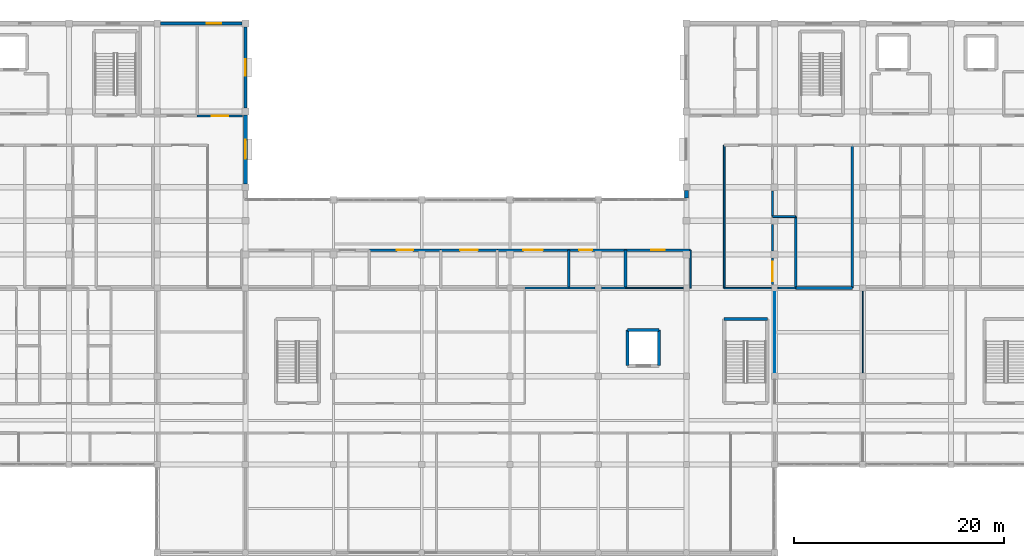
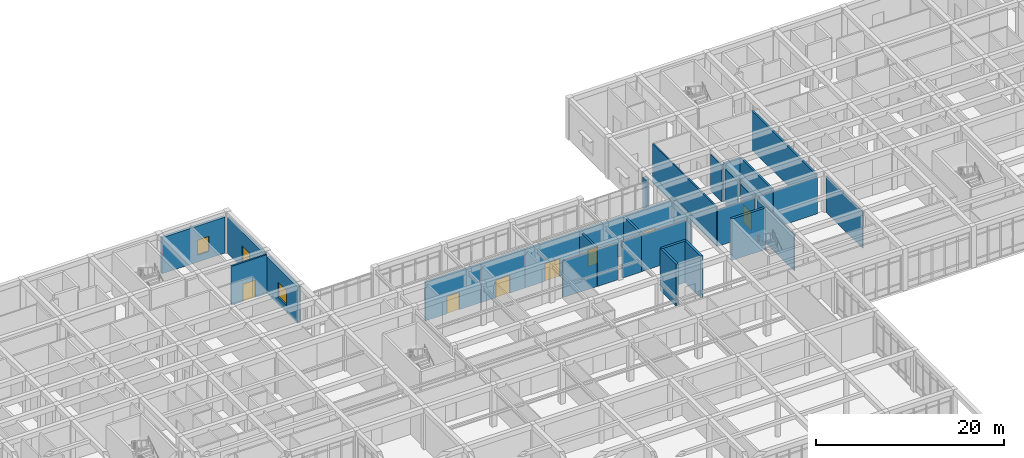
# One storey, part 62 of 89: 33 walls, 7 doors, 3 windows, 10 openings.
"""IFC4 building model written with IfcOpenShell, lengths in metres."""

import ifcopenshell
import ifcopenshell.guid

model = None  # the IFC model being written
_history = None  # IfcOwnerHistory: only IFC2X3 demands one
_inside = {}  # id of a spatial element -> (the spatial element, [elements in it])
_under = {}  # id of a project, library or spatial element -> (it, [spatial elements below it])
_declared = {}  # id of a project -> (the project, [libraries it declares])
_typed = {}  # id of a type object -> (the type object, [elements of that type])
_made_of = {}  # id of a material, layer set ... -> (it, [elements and type objects made of it])


def new_model(schema):
    """Start an empty IFC model of exactly this schema.

    Asked for "IFC4X3", IfcOpenShell would pick the latest addendum, in which some entities
    have other attributes; the version numbers below select the first issue.
    IFC2X3 requires an IfcOwnerHistory on every rooted entity: one is made here for all.
    """
    global model, _history
    if schema == "IFC4X3":
        model = ifcopenshell.file(schema_version=(4, 3, 0, 0))
    else:
        model = ifcopenshell.file(schema=schema)
    _inside.clear()
    _under.clear()
    _declared.clear()
    _typed.clear()
    _made_of.clear()
    _history = None
    if model.schema == "IFC2X3":
        org = make("IfcOrganization", Name="unknown")
        user = make(
            "IfcPersonAndOrganization",
            ThePerson=make("IfcPerson", FamilyName="unknown"),
            TheOrganization=org,
        )
        app = make(
            "IfcApplication",
            ApplicationDeveloper=org,
            Version="unknown",
            ApplicationFullName="unknown",
            ApplicationIdentifier="unknown",
        )
        _history = make(
            "IfcOwnerHistory",
            OwningUser=user,
            OwningApplication=app,
            ChangeAction="ADDED",
            CreationDate=0,
        )
    return model


def make(cls, **values):
    """One entity of the class cls with the attributes given. An attribute that is None is left unset."""
    return model.create_entity(
        cls, **{name: value for name, value in values.items() if value is not None}
    )


def rooted(cls, **values):
    """An entity with a GlobalId (a new one), such as an element, a storey or a relation."""
    return make(cls, GlobalId=ifcopenshell.guid.new(), OwnerHistory=_history, **values)


def si_unit(unit_type, name, prefix=None):
    """IfcSIUnit, for example si_unit("LENGTHUNIT", "METRE", prefix="MILLI")."""
    return make("IfcSIUnit", UnitType=unit_type, Prefix=prefix, Name=name)


def assignment(units):
    """IfcUnitAssignment: the units of a project."""
    return None if units is None else make("IfcUnitAssignment", Units=units)


def point(xyz):
    """IfcCartesianPoint."""
    return None if xyz is None else make("IfcCartesianPoint", Coordinates=xyz)


def direction(xyz):
    """IfcDirection."""
    return None if xyz is None else make("IfcDirection", DirectionRatios=xyz)


def frame(location, z_axis=None, x_axis=None):
    """IfcAxis2Placement3D, a coordinate frame: its origin and axes. An axis left out is left unset."""
    return make(
        "IfcAxis2Placement3D",
        Location=point(location),
        Axis=direction(z_axis),
        RefDirection=direction(x_axis),
    )


def frame_2d(location, x_axis=None):
    """IfcAxis2Placement2D, a coordinate frame in the plane: its origin and x axis."""
    return make(
        "IfcAxis2Placement2D", Location=point(location), RefDirection=direction(x_axis)
    )


def origin():
    """The frame at (0, 0, 0) with its axes left unset."""
    return frame((0.0, 0.0, 0.0))


def place(relative_to, where):
    """IfcLocalPlacement: puts the frame where relative to a parent placement (None: the world)."""
    return make(
        "IfcLocalPlacement", PlacementRelTo=relative_to, RelativePlacement=where
    )


def context(
    kind, dimensions, precision=None, world=None, true_north=None, identifier=None
):
    """IfcGeometricRepresentationContext, for example the 3D "Model" context."""
    return make(
        "IfcGeometricRepresentationContext",
        ContextIdentifier=identifier,
        ContextType=kind,
        CoordinateSpaceDimension=dimensions,
        Precision=precision,
        WorldCoordinateSystem=world,
        TrueNorth=true_north,
    )


def subcontext(parent, identifier, kind, view, scale=None):
    """IfcGeometricRepresentationSubContext, for example "Body" below "Model"."""
    return make(
        "IfcGeometricRepresentationSubContext",
        ContextIdentifier=identifier,
        ContextType=kind,
        ParentContext=parent,
        TargetScale=scale,
        TargetView=view,
    )


def project(units=None, contexts=None):
    """IfcProject with its units and contexts."""
    return rooted(
        "IfcProject",
        Name="project",
        RepresentationContexts=contexts,
        UnitsInContext=assignment(units),
    )


def spatial(cls, under=None, at=None, **own):
    """A site, building, storey or space (cls), placed at a placement, below another one or the project."""
    s = rooted(cls, ObjectPlacement=at, **own)
    if under is not None:
        _under.setdefault(under.id(), (under, []))[1].append(s)
    return s


def profile(cls, at=None, kind="AREA", **sizes):
    """A parametric profile (cls). Its sizes go by their IFC names, for example OverallWidth=200.0."""
    return make(cls, ProfileType=kind, Position=at, **sizes)


def rectangle(**sizes):
    """IfcRectangleProfileDef."""
    return profile("IfcRectangleProfileDef", **sizes)


def extrude(swept, where, along, depth):
    """IfcExtrudedAreaSolid: the profile swept, set in the frame where, extruded along a direction by depth."""
    return make(
        "IfcExtrudedAreaSolid",
        SweptArea=swept,
        Position=where,
        ExtrudedDirection=direction(along),
        Depth=depth,
    )


def shape(context_of_items, identifier, shape_type, items):
    """IfcShapeRepresentation: the items that make up one representation, for example the "Body"."""
    return make(
        "IfcShapeRepresentation",
        ContextOfItems=context_of_items,
        RepresentationIdentifier=identifier,
        RepresentationType=shape_type,
        Items=items,
    )


def material(Name=None, Category=None):
    """IfcMaterial."""
    return make("IfcMaterial", Name=Name, Category=Category)


def layer(
    of_material, thickness, ventilated=None, Name=None, Category=None, Priority=None
):
    """IfcMaterialLayer: one layer of a wall or slab, of a material (None: an air gap)."""
    return make(
        "IfcMaterialLayer",
        Material=of_material,
        LayerThickness=thickness,
        IsVentilated=ventilated,
        Name=Name,
        Category=Category,
        Priority=Priority,
    )


def layer_set(layers, Name=None):
    """IfcMaterialLayerSet."""
    return make("IfcMaterialLayerSet", MaterialLayers=layers, LayerSetName=Name)


def made_of(thing, what):
    """Note that an element or type object is made of a material, layer set ...; save() writes the relation."""
    if what is not None:
        _made_of.setdefault(what.id(), (what, []))[1].append(thing)
    return thing


def type_object(cls, material=None, **own):
    """A type object (cls), such as IfcWallType, which elements share."""
    return made_of(rooted(cls, **own), material)


def element(
    cls,
    number,
    at=None,
    inside=None,
    cuts=None,
    type_object=None,
    material=None,
    context=None,
    identifier="Body",
    shape_type=None,
    held_by="IfcProductDefinitionShape",
    body=None,
    shapes=None,
    **own,
):
    """One element of the class cls, such as IfcWall. Its Tag is "e" and its number.

    at: its placement. inside: the storey or other place that contains it. cuts: it is an
    opening in that element (IfcRelVoidsElement). A single representation is given by context,
    identifier, shape_type and body (its items); several are given by shapes. held_by: the class
    of the entity that holds the representations. save() writes the other relations.
    """
    e = rooted(cls, Tag="e%d" % number, ObjectPlacement=at, **own)
    if body is not None:
        shapes = [shape(context, identifier, shape_type, body)]
    if shapes is not None:
        e.Representation = make(held_by, Representations=shapes)
    if inside is not None:
        _inside.setdefault(inside.id(), (inside, []))[1].append(e)
    if cuts is not None:
        rooted(
            "IfcRelVoidsElement", RelatingBuildingElement=cuts, RelatedOpeningElement=e
        )
    if type_object is not None:
        _typed.setdefault(type_object.id(), (type_object, []))[1].append(e)
    return made_of(e, material)


def fill(opening, filler):
    """IfcRelFillsElement: the door or window that sits in an opening."""
    return rooted(
        "IfcRelFillsElement",
        RelatingOpeningElement=opening,
        RelatedBuildingElement=filler,
    )


def aggregate(whole, parts):
    """IfcRelAggregates: a whole, such as a stair, and the parts it consists of."""
    return rooted("IfcRelAggregates", RelatingObject=whole, RelatedObjects=parts)


def save(model, path):
    """Write the relations noted so far, then the file.

    IfcRelAggregates (storeys below a building ...), IfcRelContainedInSpatialStructure (elements
    in a storey), IfcRelDefinesByType, IfcRelAssociatesMaterial and IfcRelDeclares: one each for
    every whole, place, type object, material and project.
    """
    for whole, parts in _under.values():
        aggregate(whole, parts)
    for where, things in _inside.values():
        rooted(
            "IfcRelContainedInSpatialStructure",
            RelatedElements=things,
            RelatingStructure=where,
        )
    for kind, things in _typed.values():
        rooted("IfcRelDefinesByType", RelatedObjects=things, RelatingType=kind)
    for what, things in _made_of.values():
        rooted("IfcRelAssociatesMaterial", RelatedObjects=things, RelatingMaterial=what)
    for by, libraries in _declared.values():
        rooted("IfcRelDeclares", RelatingContext=by, RelatedDefinitions=libraries)
    model.write(path)


model = new_model("IFC4")

# Units and contexts
model_context = context("Model", 3, precision=1e-05, world=origin(), true_north=direction((0.0, 1.0)))
body_context = subcontext(model_context, "Body", "Model", "MODEL_VIEW")
ifc_project = project(units=[si_unit("LENGTHUNIT", "METRE"), si_unit("AREAUNIT", "SQUARE_METRE"), si_unit("VOLUMEUNIT", "CUBIC_METRE"), si_unit("PLANEANGLEUNIT", "RADIAN"), si_unit("MASSUNIT", "GRAM", prefix="KILO")], contexts=[model_context])

# Site, building, storey
site_placement = place(None, origin())
site = spatial("IfcSite", under=ifc_project, at=site_placement, CompositionType="ELEMENT")
building_placement = place(site_placement, origin())
building = spatial("IfcBuilding", under=site, at=building_placement, Name="Varncliffe General Hospital", CompositionType="ELEMENT")
storey_placement = place(building_placement, frame((0.0, 0.0, 10.800048828125)))
storey = spatial("IfcBuildingStorey", under=building, at=storey_placement, Name="L02", CompositionType="ELEMENT", Elevation=10.800048828125)

# Wall, opening, window
ifc_material_1 = material(Name="Precast concrete C40/50 with insulated cream lime-cement stucco", Category="concrete")
ifc_layer_1 = layer(ifc_material_1, 0.31005859375)
ifc_layer_set_1 = layer_set([ifc_layer_1], Name="Precast concrete C40/50 with insulated cream lime-cement stucco")
wall_type_1 = type_object("IfcWallType", Name="Exterior Insulated Stucco Wall EW20 (310mm)", PredefinedType="SOLIDWALL", material=ifc_layer_set_1)
wall_1_placement = place(storey_placement, frame((59.123046875, 124.800048828125, 0.0), z_axis=(0.0, 0.0, 1.0), x_axis=(1.0, 0.0, 0.0)))
wall_1 = element("IfcWall", 1, at=wall_1_placement, inside=storey, type_object=wall_type_1, Name="L02 Exterior Stucco Wall EW20-179", PredefinedType="SOLIDWALL", context=body_context, shape_type="SweptSolid", body=[
    extrude(rectangle(XDim=7.75390625, YDim=0.31005859375, at=frame_2d((3.876953125, 0.0))), origin(), (0.0, 0.0, 1.0), 4.679931640625),
])
opening_1_placement = place(wall_1_placement, frame((4.376953125, 0.0, 0.89990234375)))
opening_1 = element("IfcOpeningElement", 2, at=opening_1_placement, cuts=wall_1, Name="Opening WN22", PredefinedType="OPENING", context=body_context, shape_type="SweptSolid", body=[
    extrude(rectangle(XDim=1.39990234375, YDim=1.949951171875, at=frame_2d((0.699951171875, 0.97509765625))), frame((0.0, 0.1650390625, 0.0), z_axis=(0.0, -1.0, 0.0), x_axis=(1.0, 0.0, 0.0)), (0.0, 0.0, 1.0), 0.330078125),
])
ifc_material_2 = material(Name="Triple low-E argon insulated vision glazing", Category="glass")
window_type_1 = type_object("IfcWindowType", Name="Triple-Glazed Hospital Window WN22 (1400x1950)", PartitioningType="SINGLE_PANEL", PredefinedType="WINDOW", material=ifc_material_2)
window_1_placement = place(opening_1_placement, origin())
window_1 = element("IfcWindow", 3, at=window_1_placement, inside=storey, type_object=window_type_1, Name="L02 Hospital Window WN22-114", OverallHeight=1.949951171875, OverallWidth=1.39990234375, PartitioningType="SINGLE_PANEL", PredefinedType="WINDOW", context=body_context, shape_type="SweptSolid", body=[
    extrude(rectangle(XDim=1.39990234375, YDim=1.949951171875, at=frame_2d((0.699951171875, 0.97509765625))), frame((0.0, 0.030029296875, 0.0), z_axis=(0.0, -1.0, 0.0), x_axis=(1.0, 0.0, 0.0)), (0.0, 0.0, 1.0), 0.06005859375),
])
fill(opening_1, window_1)

ifc_layer_2 = layer(ifc_material_1, 0.3798828125)
ifc_layer_set_2 = layer_set([ifc_layer_2], Name="Precast concrete C40/50 with insulated cream lime-cement stucco")
wall_type_2 = type_object("IfcWallType", Name="Exterior Insulated Stucco Wall EW26 (380mm)", PredefinedType="SOLIDWALL", material=ifc_layer_set_2)
wall_2_placement = place(storey_placement, frame((67.199951171875, 116.076904296875, 0.0), z_axis=(0.0, 0.0, 1.0), x_axis=(0.0, -1.0, 0.0)))
wall_2 = element("IfcWall", 4, at=wall_2_placement, inside=storey, type_object=wall_type_2, Name="L02 Exterior Stucco Wall EW26-181", PredefinedType="SOLIDWALL", context=body_context, shape_type="SweptSolid", body=[
    extrude(rectangle(XDim=6.553955078125, YDim=0.3798828125, at=frame_2d((3.27685546875, 0.0))), origin(), (0.0, 0.0, 1.0), 4.679931640625),
])
opening_2_placement = place(wall_2_placement, frame((2.376953125, 0.0, 0.89990234375)))
opening_2 = element("IfcOpeningElement", 5, at=opening_2_placement, cuts=wall_2, Name="Opening WN78", PredefinedType="OPENING", context=body_context, shape_type="SweptSolid", body=[
    extrude(rectangle(XDim=1.800048828125, YDim=1.949951171875, at=frame_2d((0.89990234375, 0.97509765625))), frame((0.0, 0.199951171875, 0.0), z_axis=(0.0, -1.0, 0.0), x_axis=(1.0, 0.0, 0.0)), (0.0, 0.0, 1.0), 0.39990234375),
])
window_type_2 = type_object("IfcWindowType", Name="Triple-Glazed Hospital Window WN78 (1800x1950)", PartitioningType="DOUBLE_PANEL_VERTICAL", PredefinedType="WINDOW", material=ifc_material_2)
window_2_placement = place(opening_2_placement, origin())
window_2 = element("IfcWindow", 6, at=window_2_placement, inside=storey, type_object=window_type_2, Name="L02 Hospital Window WN78-116", OverallHeight=1.949951171875, OverallWidth=1.800048828125, PartitioningType="DOUBLE_PANEL_VERTICAL", PredefinedType="WINDOW", context=body_context, shape_type="SweptSolid", body=[
    extrude(rectangle(XDim=1.800048828125, YDim=1.949951171875, at=frame_2d((0.89990234375, 0.97509765625))), frame((0.0, 0.030029296875, 0.0), z_axis=(0.0, -1.0, 0.0), x_axis=(1.0, 0.0, 0.0)), (0.0, 0.0, 1.0), 0.06005859375),
])
fill(opening_2, window_2)

ifc_layer_3 = layer(ifc_material_1, 0.2900390625)
ifc_layer_set_3 = layer_set([ifc_layer_3], Name="Precast concrete C40/50 with insulated cream lime-cement stucco")
wall_type_3 = type_object("IfcWallType", Name="Exterior Insulated Stucco Wall EW31 (290mm)", PredefinedType="SOLIDWALL", material=ifc_layer_set_3)
wall_3_placement = place(storey_placement, frame((67.199951171875, 124.47705078125, 0.0), z_axis=(0.0, 0.0, 1.0), x_axis=(0.0, -1.0, 0.0)))
wall_3 = element("IfcWall", 7, at=wall_3_placement, inside=storey, type_object=wall_type_3, Name="L02 Exterior Stucco Wall EW31-180", PredefinedType="SOLIDWALL", context=body_context, shape_type="SweptSolid", body=[
    extrude(rectangle(XDim=7.754150390625, YDim=0.2900390625, at=frame_2d((3.876953125, 0.0))), origin(), (0.0, 0.0, 1.0), 4.679931640625),
])
opening_3_placement = place(wall_3_placement, frame((3.076904296875, 0.0, 0.89990234375)))
opening_3 = element("IfcOpeningElement", 8, at=opening_3_placement, cuts=wall_3, Name="Opening WN13", PredefinedType="OPENING", context=body_context, shape_type="SweptSolid", body=[
    extrude(rectangle(XDim=1.60009765625, YDim=1.949951171875, at=frame_2d((0.800048828125, 0.97509765625))), frame((0.0, 0.155029296875, 0.0), z_axis=(0.0, -1.0, 0.0), x_axis=(1.0, 0.0, 0.0)), (0.0, 0.0, 1.0), 0.31005859375),
])
window_type_3 = type_object("IfcWindowType", Name="Triple-Glazed Hospital Window WN13 (1600x1950)", PartitioningType="DOUBLE_PANEL_VERTICAL", PredefinedType="WINDOW", material=ifc_material_2)
window_3_placement = place(opening_3_placement, origin())
window_3 = element("IfcWindow", 9, at=window_3_placement, inside=storey, type_object=window_type_3, Name="L02 Hospital Window WN13-115", OverallHeight=1.949951171875, OverallWidth=1.60009765625, PartitioningType="DOUBLE_PANEL_VERTICAL", PredefinedType="WINDOW", context=body_context, shape_type="SweptSolid", body=[
    extrude(rectangle(XDim=1.60009765625, YDim=1.949951171875, at=frame_2d((0.800048828125, 0.97509765625))), frame((0.0, 0.030029296875, 0.0), z_axis=(0.0, -1.0, 0.0), x_axis=(1.0, 0.0, 0.0)), (0.0, 0.0, 1.0), 0.06005859375),
])
fill(opening_3, window_3)

# Walls
ifc_layer_4 = layer(ifc_material_1, 0.39990234375)
ifc_layer_set_4 = layer_set([ifc_layer_4], Name="Precast concrete C40/50 with insulated cream lime-cement stucco")
wall_type_4 = type_object("IfcWallType", Name="Exterior Insulated Stucco Wall EW47 (400mm)", PredefinedType="SOLIDWALL", material=ifc_layer_set_4)
wall_4_placement = place(storey_placement, frame((109.199951171875, 108.195068359375, 0.0), z_axis=(0.0, 0.0, 1.0), x_axis=(0.0, 1.0, 0.0)))
element("IfcWall", 10, at=wall_4_placement, inside=storey, type_object=wall_type_4, Name="L02 Exterior Stucco Wall EW47-183", PredefinedType="SOLIDWALL", context=body_context, shape_type="SweptSolid", body=[
    extrude(rectangle(XDim=0.681884765625, YDim=0.39990234375, at=frame_2d((0.3408203125, 0.0))), origin(), (0.0, 0.0, 1.0), 4.679931640625),
])
ifc_material_3 = material(Name="Acoustic clinical gypsum stud partition assembly", Category="gypsum")
ifc_layer_5 = layer(ifc_material_3, 0.1298828125)
ifc_layer_set_5 = layer_set([ifc_layer_5], Name="Acoustic clinical gypsum stud partition assembly")
wall_type_5 = type_object("IfcWallType", Name="Interior Partitioning IW11 (130mm)", PredefinedType="PARTITIONING", material=ifc_layer_set_5)
wall_5_placement = place(storey_placement, frame((103.39990234375, 99.60009765625, 0.0), z_axis=(0.0, 0.0, 1.0), x_axis=(1.0, 0.0, 0.0)))
element("IfcWall", 11, at=wall_5_placement, inside=storey, type_object=wall_type_5, Name="L02 Interior Partition Wall IW11-1028", PredefinedType="PARTITIONING", context=body_context, shape_type="SweptSolid", body=[
    extrude(rectangle(XDim=5.485107421875, YDim=0.1298828125, at=frame_2d((2.74267578125, 0.0))), origin(), (0.0, 0.0, 1.0), 4.73486328125),
])
ifc_layer_6 = layer(ifc_material_3, 0.169921875)
ifc_layer_set_6 = layer_set([ifc_layer_6], Name="Acoustic clinical gypsum stud partition assembly")
wall_type_6 = type_object("IfcWallType", Name="Interior Partitioning IW20 (170mm)", PredefinedType="PARTITIONING", material=ifc_layer_set_6)
wall_6_placement = place(storey_placement, frame((93.800048828125, 99.60009765625, 0.0), z_axis=(0.0, 0.0, 1.0), x_axis=(1.0, 0.0, 0.0)))
element("IfcWall", 12, at=wall_6_placement, inside=storey, type_object=wall_type_6, Name="L02 Interior Partition Wall IW20-1025", PredefinedType="PARTITIONING", context=body_context, shape_type="SweptSolid", body=[
    extrude(rectangle(XDim=4.199951171875, YDim=0.169921875, at=frame_2d((2.10009765625, 0.0))), origin(), (0.0, 0.0, 1.0), 4.73486328125),
])
wall_7_placement = place(storey_placement, frame((117.9150390625, 99.60009765625, 0.0), z_axis=(0.0, 0.0, 1.0), x_axis=(1.0, 0.0, 0.0)))
element("IfcWall", 13, at=wall_7_placement, inside=storey, type_object=wall_type_6, Name="L02 Interior Partition Wall IW20-1030", PredefinedType="PARTITIONING", context=body_context, shape_type="SweptSolid", body=[
    extrude(rectangle(XDim=1.68505859375, YDim=0.169921875, at=frame_2d((0.842529296875, 0.0))), origin(), (0.0, 0.0, 1.0), 4.73486328125),
])
wall_8_placement = place(storey_placement, frame((112.800048828125, 99.60009765625, 0.0), z_axis=(0.0, 0.0, 1.0), x_axis=(0.0, 1.0, 0.0)))
element("IfcWall", 14, at=wall_8_placement, inside=storey, type_object=wall_type_6, Name="L02 Interior Partition Wall IW20-1220", PredefinedType="PARTITIONING", context=body_context, shape_type="SweptSolid", body=[
    extrude(rectangle(XDim=13.599853515625, YDim=0.169921875, at=frame_2d((6.7998046875, 0.0))), origin(), (0.0, 0.0, 1.0), 5.070068359375),
])
ifc_layer_7 = layer(ifc_material_3, 0.14990234375)
ifc_layer_set_7 = layer_set([ifc_layer_7], Name="Acoustic clinical gypsum stud partition assembly")
wall_type_7 = type_object("IfcWallType", Name="Interior Partitioning IW35 (150mm)", PredefinedType="PARTITIONING", material=ifc_layer_set_7)
wall_9_placement = place(storey_placement, frame((112.800048828125, 99.60009765625, 0.0), z_axis=(0.0, 0.0, 1.0), x_axis=(1.0, 0.0, 0.0)))
element("IfcWall", 15, at=wall_9_placement, inside=storey, type_object=wall_type_7, Name="L02 Interior Partition Wall IW35-1029", PredefinedType="PARTITIONING", context=body_context, shape_type="SweptSolid", body=[
    extrude(rectangle(XDim=4.48486328125, YDim=0.14990234375, at=frame_2d((2.242431640625, 0.0))), origin(), (0.0, 0.0, 1.0), 4.73486328125),
])
wall_10_placement = place(storey_placement, frame((109.60009765625, 99.60009765625, 0.0), z_axis=(0.0, 0.0, 1.0), x_axis=(0.0, 1.0, 0.0)))
element("IfcWall", 16, at=wall_10_placement, inside=storey, type_object=wall_type_7, Name="L02 Interior Partition Wall IW35-1219", PredefinedType="PARTITIONING", context=body_context, shape_type="SweptSolid", body=[
    extrude(rectangle(XDim=3.599853515625, YDim=0.14990234375, at=frame_2d((1.7998046875, 0.0))), origin(), (0.0, 0.0, 1.0), 5.070068359375),
])
ifc_layer_8 = layer(ifc_material_3, 0.090087890625)
ifc_layer_set_8 = layer_set([ifc_layer_8], Name="Acoustic clinical gypsum stud partition assembly")
wall_type_8 = type_object("IfcWallType", Name="Interior Partitioning IW42 (90mm)", PredefinedType="PARTITIONING", material=ifc_layer_set_8)
wall_11_placement = place(storey_placement, frame((117.60009765625, 91.514892578125, 0.0), z_axis=(0.0, 0.0, 1.0), x_axis=(0.0, 1.0, 0.0)))
element("IfcWall", 17, at=wall_11_placement, inside=storey, type_object=wall_type_8, Name="L02 Interior Partition Wall IW42-1231", PredefinedType="PARTITIONING", context=body_context, shape_type="SweptSolid", body=[
    extrude(rectangle(XDim=7.77001953125, YDim=0.090087890625, at=frame_2d((3.885009765625, 0.0))), origin(), (0.0, 0.0, 1.0), 4.73486328125),
])
ifc_layer_9 = layer(ifc_material_3, 0.110107421875)
ifc_layer_set_9 = layer_set([ifc_layer_9], Name="Acoustic clinical gypsum stud partition assembly")
wall_type_9 = type_object("IfcWallType", Name="Interior Partitioning IW65 (110mm)", PredefinedType="PARTITIONING", material=ifc_layer_set_9)
wall_12_placement = place(storey_placement, frame((126.0, 91.514892578125, 0.0), z_axis=(0.0, 0.0, 1.0), x_axis=(0.0, 1.0, 0.0)))
element("IfcWall", 18, at=wall_12_placement, inside=storey, type_object=wall_type_9, Name="L02 Interior Partition Wall IW65-1242", PredefinedType="PARTITIONING", context=body_context, shape_type="SweptSolid", body=[
    extrude(rectangle(XDim=7.77001953125, YDim=0.110107421875, at=frame_2d((3.885009765625, 0.0))), origin(), (0.0, 0.0, 1.0), 4.73486328125),
])
ifc_material_4 = material(Name="Fire-rated gypsum and mineral-wool partition assembly", Category="gypsum")
ifc_layer_10 = layer(ifc_material_4, 0.25)
ifc_layer_set_10 = layer_set([ifc_layer_10], Name="Fire-rated gypsum and mineral-wool partition assembly")
wall_type_10 = type_object("IfcWallType", Name="Interior Partitioning PW38 (250mm)", PredefinedType="PARTITIONING", material=ifc_layer_set_10)
wall_13_placement = place(storey_placement, frame((119.60009765625, 99.60009765625, 0.0), z_axis=(0.0, 0.0, 1.0), x_axis=(1.0, 0.0, 0.0)))
element("IfcWall", 19, at=wall_13_placement, inside=storey, type_object=wall_type_10, Name="L02 Interior Partition Wall PW38-1031", PredefinedType="PARTITIONING", context=body_context, shape_type="SweptSolid", body=[
    extrude(rectangle(XDim=5.39990234375, YDim=0.25, at=frame_2d((2.699951171875, 0.0))), origin(), (0.0, 0.0, 1.0), 4.73486328125),
])
wall_14_placement = place(storey_placement, frame((103.39990234375, 99.60009765625, 0.0), z_axis=(0.0, 0.0, 1.0), x_axis=(0.0, 1.0, 0.0)))
element("IfcWall", 20, at=wall_14_placement, inside=storey, type_object=wall_type_10, Name="L02 Interior Partition Wall PW38-1217", PredefinedType="PARTITIONING", context=body_context, shape_type="SweptSolid", body=[
    extrude(rectangle(XDim=3.599853515625, YDim=0.25, at=frame_2d((1.7998046875, 0.0))), origin(), (0.0, 0.0, 1.0), 5.070068359375),
])
wall_15_placement = place(storey_placement, frame((119.60009765625, 99.60009765625, 0.0), z_axis=(0.0, 0.0, 1.0), x_axis=(0.0, 1.0, 0.0)))
element("IfcWall", 21, at=wall_15_placement, inside=storey, type_object=wall_type_10, Name="L02 Interior Partition Wall PW38-1233", PredefinedType="PARTITIONING", context=body_context, shape_type="SweptSolid", body=[
    extrude(rectangle(XDim=6.7998046875, YDim=0.25, at=frame_2d((3.39990234375, 0.0))), origin(), (0.0, 0.0, 1.0), 5.070068359375),
])
ifc_layer_11 = layer(ifc_material_4, 0.22998046875)
ifc_layer_set_11 = layer_set([ifc_layer_11], Name="Fire-rated gypsum and mineral-wool partition assembly")
wall_type_11 = type_object("IfcWallType", Name="Interior Partitioning PW48 (230mm)", PredefinedType="PARTITIONING", material=ifc_layer_set_11)
wall_16_placement = place(storey_placement, frame((98.0, 99.60009765625, 0.0), z_axis=(0.0, 0.0, 1.0), x_axis=(1.0, 0.0, 0.0)))
element("IfcWall", 22, at=wall_16_placement, inside=storey, type_object=wall_type_11, Name="L02 Interior Partition Wall PW48-1026", PredefinedType="PARTITIONING", context=body_context, shape_type="SweptSolid", body=[
    extrude(rectangle(XDim=2.485107421875, YDim=0.22998046875, at=frame_2d((1.24267578125, 0.0))), origin(), (0.0, 0.0, 1.0), 4.73486328125),
])
wall_17_placement = place(storey_placement, frame((101.114990234375, 99.60009765625, 0.0), z_axis=(0.0, 0.0, 1.0), x_axis=(1.0, 0.0, 0.0)))
element("IfcWall", 23, at=wall_17_placement, inside=storey, type_object=wall_type_11, Name="L02 Interior Partition Wall PW48-1027", PredefinedType="PARTITIONING", context=body_context, shape_type="SweptSolid", body=[
    extrude(rectangle(XDim=2.284912109375, YDim=0.22998046875, at=frame_2d((1.142578125, 0.0))), origin(), (0.0, 0.0, 1.0), 4.73486328125),
])

# Wall, opening, door
wall_18_placement = place(storey_placement, frame((85.800048828125, 103.199951171875, 0.0), z_axis=(0.0, 0.0, 1.0), x_axis=(1.0, 0.0, 0.0)))
wall_18 = element("IfcWall", 24, at=wall_18_placement, inside=storey, type_object=wall_type_11, Name="L02 Interior Partition Wall PW48-1050", PredefinedType="PARTITIONING", context=body_context, shape_type="SweptSolid", body=[
    extrude(rectangle(XDim=5.39990234375, YDim=0.22998046875, at=frame_2d((2.699951171875, 0.0))), origin(), (0.0, 0.0, 1.0), 5.070068359375),
])
opening_4_placement = place(wall_18_placement, frame((1.85009765625, 0.0, 0.0)))
opening_4 = element("IfcOpeningElement", 25, at=opening_4_placement, cuts=wall_18, Name="Opening DC50", PredefinedType="OPENING", context=body_context, shape_type="SweptSolid", body=[
    extrude(rectangle(XDim=1.699951171875, YDim=2.300048828125, at=frame_2d((0.85009765625, 1.14990234375))), frame((0.0, 0.125, 0.0), z_axis=(0.0, -1.0, 0.0), x_axis=(1.0, 0.0, 0.0)), (0.0, 0.0, 1.0), 0.25),
])
ifc_material_5 = material(Name="Fire-rated hospital steel-frame vision-panel door", Category="steel")
door_type_1 = type_object("IfcDoorType", Name="Interior Hospital Door DC50 (1700x2300)", OperationType="NOTDEFINED", PredefinedType="DOOR", material=ifc_material_5)
door_1_placement = place(opening_4_placement, frame((1.699951171875, 0.0, 0.0), z_axis=(0.0, 0.0, 1.0), x_axis=(-1.0, 0.0, 0.0)))
door_1 = element("IfcDoor", 26, at=door_1_placement, inside=storey, type_object=door_type_1, Name="L02 Surgical Sub-Sterile Utility Store 171 Door", OperationType="SINGLE_SWING_RIGHT", OverallHeight=2.300048828125, OverallWidth=1.699951171875, PredefinedType="DOOR", context=body_context, shape_type="SweptSolid", body=[
    extrude(rectangle(XDim=1.699951171875, YDim=2.300048828125, at=frame_2d((0.85009765625, 1.14990234375))), frame((0.0, 0.02490234375, 0.0), z_axis=(0.0, -1.0, 0.0), x_axis=(1.0, 0.0, 0.0)), (0.0, 0.0, 1.0), 0.050048828125),
])
fill(opening_4, door_1)

wall_19_placement = place(storey_placement, frame((98.0, 103.199951171875, 0.0), z_axis=(0.0, 0.0, 1.0), x_axis=(1.0, 0.0, 0.0)))
wall_19 = element("IfcWall", 27, at=wall_19_placement, inside=storey, type_object=wall_type_11, Name="L02 Interior Partition Wall PW48-1052", PredefinedType="PARTITIONING", context=body_context, shape_type="SweptSolid", body=[
    extrude(rectangle(XDim=5.39990234375, YDim=0.22998046875, at=frame_2d((2.699951171875, 0.0))), origin(), (0.0, 0.0, 1.0), 5.070068359375),
])
opening_5_placement = place(wall_19_placement, frame((0.97412109375, 0.0, 0.0)))
opening_5 = element("IfcOpeningElement", 28, at=opening_5_placement, cuts=wall_19, Name="Opening DC44", PredefinedType="OPENING", context=body_context, shape_type="SweptSolid", body=[
    extrude(rectangle(XDim=1.25, YDim=2.14990234375, at=frame_2d((0.625, 1.074951171875))), frame((0.0, 0.125, 0.0), z_axis=(0.0, -1.0, 0.0), x_axis=(1.0, 0.0, 0.0)), (0.0, 0.0, 1.0), 0.25),
])
door_type_2 = type_object("IfcDoorType", Name="Interior Hospital Door DC44 (1250x2150)", OperationType="NOTDEFINED", PredefinedType="DOOR", material=ifc_material_5)
door_2_placement = place(opening_5_placement, frame((1.25, 0.0, 0.0), z_axis=(0.0, 0.0, 1.0), x_axis=(-1.0, 0.0, 0.0)))
door_2 = element("IfcDoor", 29, at=door_2_placement, inside=storey, type_object=door_type_2, Name="L02 Surgical Sub-Sterile Utility Store 173 Door", OperationType="SINGLE_SWING_RIGHT", OverallHeight=2.14990234375, OverallWidth=1.25, PredefinedType="DOOR", context=body_context, shape_type="SweptSolid", body=[
    extrude(rectangle(XDim=1.25, YDim=2.14990234375, at=frame_2d((0.625, 1.074951171875))), frame((0.0, 0.02490234375, 0.0), z_axis=(0.0, -1.0, 0.0), x_axis=(1.0, 0.0, 0.0)), (0.0, 0.0, 1.0), 0.050048828125),
])
fill(opening_5, door_2)

# Walls
wall_20_placement = place(storey_placement, frame((98.0, 99.60009765625, 0.0), z_axis=(0.0, 0.0, 1.0), x_axis=(0.0, 1.0, 0.0)))
element("IfcWall", 30, at=wall_20_placement, inside=storey, type_object=wall_type_11, Name="L02 Interior Partition Wall PW48-1216", PredefinedType="PARTITIONING", context=body_context, shape_type="SweptSolid", body=[
    extrude(rectangle(XDim=3.599853515625, YDim=0.22998046875, at=frame_2d((1.7998046875, 0.0))), origin(), (0.0, 0.0, 1.0), 5.070068359375),
])
wall_21_placement = place(storey_placement, frame((125.0, 99.60009765625, 0.0), z_axis=(0.0, 0.0, 1.0), x_axis=(0.0, 1.0, 0.0)))
element("IfcWall", 31, at=wall_21_placement, inside=storey, type_object=wall_type_11, Name="L02 Interior Partition Wall PW48-1240", PredefinedType="PARTITIONING", context=body_context, shape_type="SweptSolid", body=[
    extrude(rectangle(XDim=13.599853515625, YDim=0.22998046875, at=frame_2d((6.7998046875, 0.0))), origin(), (0.0, 0.0, 1.0), 5.070068359375),
])

# Wall, opening, door
ifc_layer_12 = layer(ifc_material_4, 0.199951171875)
ifc_layer_set_12 = layer_set([ifc_layer_12], Name="Fire-rated gypsum and mineral-wool partition assembly")
wall_type_12 = type_object("IfcWallType", Name="Interior Partitioning PW63 (200mm)", PredefinedType="PARTITIONING", material=ifc_layer_set_12)
wall_22_placement = place(storey_placement, frame((79.0, 103.199951171875, 0.0), z_axis=(0.0, 0.0, 1.0), x_axis=(1.0, 0.0, 0.0)))
wall_22 = element("IfcWall", 32, at=wall_22_placement, inside=storey, type_object=wall_type_12, Name="L02 Interior Partition Wall PW63-1049", PredefinedType="PARTITIONING", context=body_context, shape_type="SweptSolid", body=[
    extrude(rectangle(XDim=6.800048828125, YDim=0.199951171875, at=frame_2d((3.39990234375, 0.0))), origin(), (0.0, 0.0, 1.0), 5.070068359375),
])
opening_6_placement = place(wall_22_placement, frame((2.625, 0.0, 0.0)))
opening_6 = element("IfcOpeningElement", 33, at=opening_6_placement, cuts=wall_22, Name="Opening DC67", PredefinedType="OPENING", context=body_context, shape_type="SweptSolid", body=[
    extrude(rectangle(XDim=1.550048828125, YDim=2.25, at=frame_2d((0.77490234375, 1.125))), frame((0.0, 0.10986328125, 0.0), z_axis=(0.0, -1.0, 0.0), x_axis=(1.0, 0.0, 0.0)), (0.0, 0.0, 1.0), 0.219970703125),
])
door_type_3 = type_object("IfcDoorType", Name="Interior Hospital Door DC67 (1550x2250)", OperationType="NOTDEFINED", PredefinedType="DOOR", material=ifc_material_5)
door_3_placement = place(opening_6_placement, frame((1.550048828125, 0.0, 0.0), z_axis=(0.0, 0.0, 1.0), x_axis=(-1.0, 0.0, 0.0)))
door_3 = element("IfcDoor", 34, at=door_3_placement, inside=storey, type_object=door_type_3, Name="L02 Surgical Inpatient Ward Room 170 Door", OperationType="SINGLE_SWING_LEFT", OverallHeight=2.25, OverallWidth=1.550048828125, PredefinedType="DOOR", context=body_context, shape_type="SweptSolid", body=[
    extrude(rectangle(XDim=1.550048828125, YDim=2.25, at=frame_2d((0.77490234375, 1.125))), frame((0.0, 0.02490234375, 0.0), z_axis=(0.0, -1.0, 0.0), x_axis=(1.0, 0.0, 0.0)), (0.0, 0.0, 1.0), 0.050048828125),
])
fill(opening_6, door_3)

wall_23_placement = place(storey_placement, frame((91.199951171875, 103.199951171875, 0.0), z_axis=(0.0, 0.0, 1.0), x_axis=(1.0, 0.0, 0.0)))
wall_23 = element("IfcWall", 35, at=wall_23_placement, inside=storey, type_object=wall_type_12, Name="L02 Interior Partition Wall PW63-1051", PredefinedType="PARTITIONING", context=body_context, shape_type="SweptSolid", body=[
    extrude(rectangle(XDim=6.800048828125, YDim=0.199951171875, at=frame_2d((3.39990234375, 0.0))), origin(), (0.0, 0.0, 1.0), 5.070068359375),
])
opening_7_placement = place(wall_23_placement, frame((2.47509765625, 0.0, 0.0)))
opening_7 = element("IfcOpeningElement", 36, at=opening_7_placement, cuts=wall_23, Name="Opening DC38", PredefinedType="OPENING", context=body_context, shape_type="SweptSolid", body=[
    extrude(rectangle(XDim=1.85009765625, YDim=2.300048828125, at=frame_2d((0.925048828125, 1.14990234375))), frame((0.0, 0.10986328125, 0.0), z_axis=(0.0, -1.0, 0.0), x_axis=(1.0, 0.0, 0.0)), (0.0, 0.0, 1.0), 0.219970703125),
])
door_type_4 = type_object("IfcDoorType", Name="Interior Hospital Door DC38 (1850x2300)", OperationType="NOTDEFINED", PredefinedType="DOOR", material=ifc_material_5)
door_4_placement = place(opening_7_placement, frame((1.85009765625, 0.0, 0.0), z_axis=(0.0, 0.0, 1.0), x_axis=(-1.0, 0.0, 0.0)))
door_4 = element("IfcDoor", 37, at=door_4_placement, inside=storey, type_object=door_type_4, Name="L02 Surgical Inpatient Ward Room 172 Door", OperationType="SINGLE_SWING_LEFT", OverallHeight=2.300048828125, OverallWidth=1.85009765625, PredefinedType="DOOR", context=body_context, shape_type="SweptSolid", body=[
    extrude(rectangle(XDim=1.85009765625, YDim=2.300048828125, at=frame_2d((0.925048828125, 1.14990234375))), frame((0.0, 0.02490234375, 0.0), z_axis=(0.0, -1.0, 0.0), x_axis=(1.0, 0.0, 0.0)), (0.0, 0.0, 1.0), 0.050048828125),
])
fill(opening_7, door_4)

wall_24_placement = place(storey_placement, frame((103.39990234375, 103.199951171875, 0.0), z_axis=(0.0, 0.0, 1.0), x_axis=(1.0, 0.0, 0.0)))
wall_24 = element("IfcWall", 38, at=wall_24_placement, inside=storey, type_object=wall_type_12, Name="L02 Interior Partition Wall PW63-1053", PredefinedType="PARTITIONING", context=body_context, shape_type="SweptSolid", body=[
    extrude(rectangle(XDim=6.2001953125, YDim=0.199951171875, at=frame_2d((3.10009765625, 0.0))), origin(), (0.0, 0.0, 1.0), 5.070068359375),
])
opening_8_placement = place(wall_24_placement, frame((2.449951171875, 0.0, 0.0)))
opening_8 = element("IfcOpeningElement", 39, at=opening_8_placement, cuts=wall_24, Name="Opening DC88", PredefinedType="OPENING", context=body_context, shape_type="SweptSolid", body=[
    extrude(rectangle(XDim=1.300048828125, YDim=2.199951171875, at=frame_2d((0.64990234375, 1.10009765625))), frame((0.0, 0.10986328125, 0.0), z_axis=(0.0, -1.0, 0.0), x_axis=(1.0, 0.0, 0.0)), (0.0, 0.0, 1.0), 0.219970703125),
])
door_type_5 = type_object("IfcDoorType", Name="Interior Hospital Door DC88 (1300x2200)", OperationType="NOTDEFINED", PredefinedType="DOOR", material=ifc_material_5)
door_5_placement = place(opening_8_placement, frame((1.300048828125, 0.0, 0.0), z_axis=(0.0, 0.0, 1.0), x_axis=(-1.0, 0.0, 0.0)))
door_5 = element("IfcDoor", 40, at=door_5_placement, inside=storey, type_object=door_type_5, Name="L02 Surgical Inpatient Ward Room 174 Door", OperationType="SINGLE_SWING_LEFT", OverallHeight=2.199951171875, OverallWidth=1.300048828125, PredefinedType="DOOR", context=body_context, shape_type="SweptSolid", body=[
    extrude(rectangle(XDim=1.300048828125, YDim=2.199951171875, at=frame_2d((0.64990234375, 1.10009765625))), frame((0.0, 0.02490234375, 0.0), z_axis=(0.0, -1.0, 0.0), x_axis=(1.0, 0.0, 0.0)), (0.0, 0.0, 1.0), 0.050048828125),
])
fill(opening_8, door_5)

wall_25_placement = place(storey_placement, frame((62.60009765625, 116.0, 0.0), z_axis=(0.0, 0.0, 1.0), x_axis=(1.0, 0.0, 0.0)))
wall_25 = element("IfcWall", 41, at=wall_25_placement, inside=storey, type_object=wall_type_12, Name="L02 Interior Partition Wall PW63-1096", PredefinedType="PARTITIONING", context=body_context, shape_type="SweptSolid", body=[
    extrude(rectangle(XDim=4.33984375, YDim=0.199951171875, at=frame_2d((2.169921875, 0.0))), origin(), (0.0, 0.0, 1.0), 5.070068359375),
])
opening_9_placement = place(wall_25_placement, frame((1.39501953125, 0.0, 0.0)))
opening_9 = element("IfcOpeningElement", 42, at=opening_9_placement, cuts=wall_25, Name="Opening DC67", PredefinedType="OPENING", context=body_context, shape_type="SweptSolid", body=[
    extrude(rectangle(XDim=1.550048828125, YDim=2.25, at=frame_2d((0.77490234375, 1.125))), frame((0.0, 0.10986328125, 0.0), z_axis=(0.0, -1.0, 0.0), x_axis=(1.0, 0.0, 0.0)), (0.0, 0.0, 1.0), 0.219970703125),
])
door_6_placement = place(opening_9_placement, origin())
door_6 = element("IfcDoor", 43, at=door_6_placement, inside=storey, type_object=door_type_3, Name="L02 Surgical Inpatient Ward Room 150 Door", OperationType="SINGLE_SWING_LEFT", OverallHeight=2.25, OverallWidth=1.550048828125, PredefinedType="DOOR", context=body_context, shape_type="SweptSolid", body=[
    extrude(rectangle(XDim=1.550048828125, YDim=2.25, at=frame_2d((0.77490234375, 1.125))), frame((0.0, 0.02490234375, 0.0), z_axis=(0.0, -1.0, 0.0), x_axis=(1.0, 0.0, 0.0)), (0.0, 0.0, 1.0), 0.050048828125),
])
fill(opening_9, door_6)

wall_26_placement = place(storey_placement, frame((117.39990234375, 99.9150390625, 0.0), z_axis=(0.0, 0.0, 1.0), x_axis=(0.0, 1.0, 0.0)))
wall_26 = element("IfcWall", 44, at=wall_26_placement, inside=storey, type_object=wall_type_12, Name="L02 Interior Partition Wall PW63-1226", PredefinedType="PARTITIONING", context=body_context, shape_type="SweptSolid", body=[
    extrude(rectangle(XDim=2.544921875, YDim=0.199951171875, at=frame_2d((1.2724609375, 0.0))), origin(), (0.0, 0.0, 1.0), 4.73486328125),
])
opening_10_placement = place(wall_26_placement, frame((0.347412109375, 0.0, 0.0)))
opening_10 = element("IfcOpeningElement", 45, at=opening_10_placement, cuts=wall_26, Name="Opening DC38", PredefinedType="OPENING", context=body_context, shape_type="SweptSolid", body=[
    extrude(rectangle(XDim=1.85009765625, YDim=2.300048828125, at=frame_2d((0.925048828125, 1.14990234375))), frame((0.0, 0.10986328125, 0.0), z_axis=(0.0, -1.0, 0.0), x_axis=(1.0, 0.0, 0.0)), (0.0, 0.0, 1.0), 0.219970703125),
])
door_7_placement = place(opening_10_placement, frame((1.85009765625, 0.0, 0.0), z_axis=(0.0, 0.0, 1.0), x_axis=(-1.0, 0.0, 0.0)))
door_7 = element("IfcDoor", 46, at=door_7_placement, inside=storey, type_object=door_type_4, Name="L02 Patient Medication and Hygiene Bay 129 Door", OperationType="SINGLE_SWING_LEFT", OverallHeight=2.300048828125, OverallWidth=1.85009765625, PredefinedType="DOOR", context=body_context, shape_type="SweptSolid", body=[
    extrude(rectangle(XDim=1.85009765625, YDim=2.300048828125, at=frame_2d((0.925048828125, 1.14990234375))), frame((0.0, 0.02490234375, 0.0), z_axis=(0.0, -1.0, 0.0), x_axis=(1.0, 0.0, 0.0)), (0.0, 0.0, 1.0), 0.050048828125),
])
fill(opening_10, door_7)

# Walls
wall_27_placement = place(storey_placement, frame((117.39990234375, 103.139892578125, 0.0), z_axis=(0.0, 0.0, 1.0), x_axis=(0.0, 1.0, 0.0)))
element("IfcWall", 47, at=wall_27_placement, inside=storey, type_object=wall_type_12, Name="L02 Interior Partition Wall PW63-1227", PredefinedType="PARTITIONING", context=body_context, shape_type="SweptSolid", body=[
    extrude(rectangle(XDim=2.52001953125, YDim=0.199951171875, at=frame_2d((1.260009765625, 0.0))), origin(), (0.0, 0.0, 1.0), 4.73486328125),
])
wall_28_placement = place(storey_placement, frame((117.39990234375, 106.39990234375, 0.0), z_axis=(0.0, 0.0, 1.0), x_axis=(0.0, 1.0, 0.0)))
element("IfcWall", 48, at=wall_28_placement, inside=storey, type_object=wall_type_12, Name="L02 Interior Partition Wall PW63-1229", PredefinedType="PARTITIONING", context=body_context, shape_type="SweptSolid", body=[
    extrude(rectangle(XDim=2.460205078125, YDim=0.199951171875, at=frame_2d((1.22998046875, 0.0))), origin(), (0.0, 0.0, 1.0), 4.73486328125),
])
ifc_material_6 = material(Name="Moisture-resistant plumbing chase wall assembly", Category="gypsum")
ifc_layer_13 = layer(ifc_material_6, 0.18994140625)
ifc_layer_set_13 = layer_set([ifc_layer_13], Name="Moisture-resistant plumbing chase wall assembly")
wall_type_13 = type_object("IfcWallType", Name="Interior Plumbingwall MW17 (190mm)", PredefinedType="PLUMBINGWALL", material=ifc_layer_set_13)
wall_29_placement = place(storey_placement, frame((117.39990234375, 106.39990234375, 0.0), z_axis=(0.0, 0.0, 1.0), x_axis=(1.0, 0.0, 0.0)))
element("IfcWall", 49, at=wall_29_placement, inside=storey, type_object=wall_type_13, Name="L02 Interior Plumbing Wall MW17-1058", PredefinedType="PLUMBINGWALL", context=body_context, shape_type="SweptSolid", body=[
    extrude(rectangle(XDim=2.2001953125, YDim=0.18994140625, at=frame_2d((1.10009765625, 0.0))), origin(), (0.0, 0.0, 1.0), 5.070068359375),
])
ifc_material_7 = material(Name="Concrete C40/50 (CSA A23.1 40 MPa)", Category="concrete")
ifc_layer_14 = layer(ifc_material_7, 0.300048828125)
ifc_layer_set_14 = layer_set([ifc_layer_14], Name="Concrete C40/50 (CSA A23.1 40 MPa)")
wall_type_14 = type_object("IfcWallType", Name="Reinforced Concrete Core Shear Wall CW12 (300mm)", PredefinedType="SHEAR", material=ifc_layer_set_14)
wall_30_placement = place(storey_placement, frame((116.89990234375, 96.64990234375, 0.0), z_axis=(0.0, 0.0, 1.0), x_axis=(-1.0, 0.0, 0.0)))
element("IfcWall", 50, at=wall_30_placement, inside=storey, type_object=wall_type_14, Name="L02 ST06 Core Shear Wall F", PredefinedType="SHEAR", context=body_context, shape_type="SweptSolid", body=[
    extrude(rectangle(XDim=4.099853515625, YDim=0.300048828125, at=frame_2d((2.0498046875, 0.0))), origin(), (0.0, 0.0, 1.0), 5.39990234375),
])
wall_31_placement = place(storey_placement, frame((106.60009765625, 92.199951171875, 0.0), z_axis=(0.0, 0.0, 1.0), x_axis=(0.0, 1.0, 0.0)))
element("IfcWall", 51, at=wall_31_placement, inside=storey, type_object=wall_type_14, Name="L02 LF07 Elevator Shaft Wall East", PredefinedType="SHEAR", context=body_context, shape_type="SweptSolid", body=[
    extrude(rectangle(XDim=3.400146484375, YDim=0.300048828125, at=frame_2d((1.7001953125, 0.0))), origin(), (0.0, 0.0, 1.0), 5.39990234375),
])
wall_32_placement = place(storey_placement, frame((106.60009765625, 95.60009765625, 0.0), z_axis=(0.0, 0.0, 1.0), x_axis=(-1.0, 0.0, 0.0)))
element("IfcWall", 52, at=wall_32_placement, inside=storey, type_object=wall_type_14, Name="L02 LF07 Elevator Shaft Wall North", PredefinedType="SHEAR", context=body_context, shape_type="SweptSolid", body=[
    extrude(rectangle(XDim=3.0, YDim=0.300048828125, at=frame_2d((1.5, 0.0))), origin(), (0.0, 0.0, 1.0), 5.39990234375),
])
wall_33_placement = place(storey_placement, frame((103.60009765625, 95.60009765625, 0.0), z_axis=(0.0, 0.0, 1.0), x_axis=(0.0, -1.0, 0.0)))
element("IfcWall", 53, at=wall_33_placement, inside=storey, type_object=wall_type_14, Name="L02 LF07 Elevator Shaft Wall West", PredefinedType="SHEAR", context=body_context, shape_type="SweptSolid", body=[
    extrude(rectangle(XDim=3.400146484375, YDim=0.300048828125, at=frame_2d((1.7001953125, 0.0))), origin(), (0.0, 0.0, 1.0), 5.39990234375),
])

save(model, "model.ifc")
